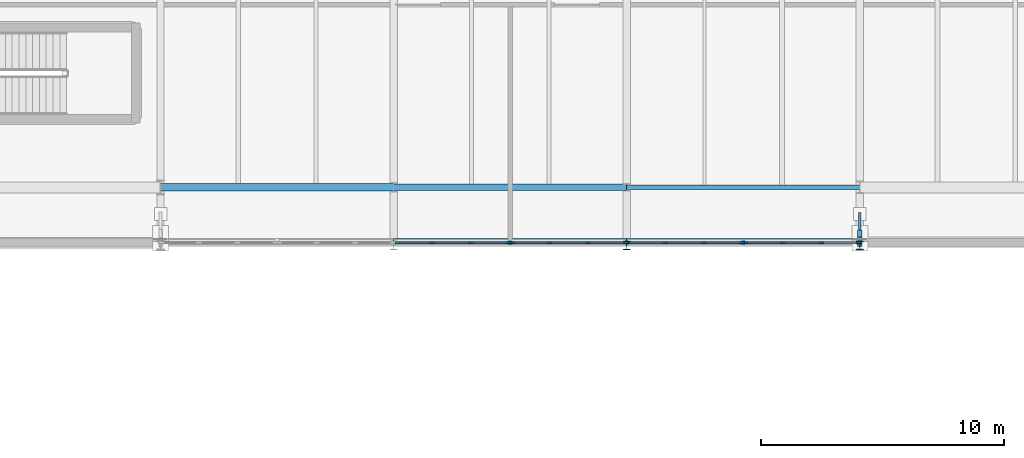
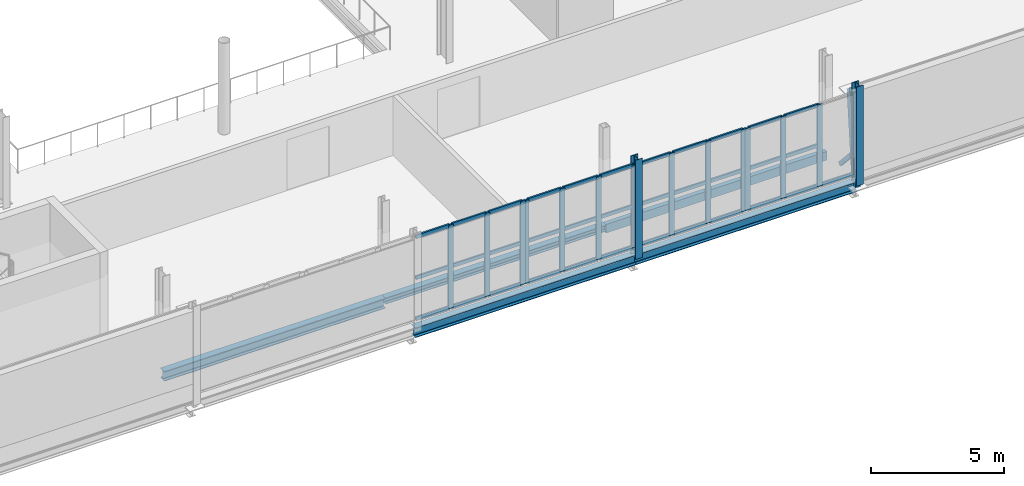
# One storey, part 27 of 90: 53 members, 5 beams, 4 elements without a shape of their own.
"""IFC4 building model written with IfcOpenShell, lengths in metres."""

from ifc_helpers import new_model, si_unit, direction, frame, origin, origin_2d, place, context, subcontext, project, spatial, rectangle, hollow_rectangle, i_section, extrude, material, layer, layer_set, material_profile, profile_set, type_object, element, aggregate, save


model = new_model("IFC4")

# Units and contexts
model_context = context("Model", 3, precision=1e-05, world=origin(), true_north=direction((0.0, 1.0)))
body_context = subcontext(model_context, "Body", "Model", "MODEL_VIEW")
ifc_project = project(units=[si_unit("LENGTHUNIT", "METRE"), si_unit("AREAUNIT", "SQUARE_METRE"), si_unit("VOLUMEUNIT", "CUBIC_METRE"), si_unit("PLANEANGLEUNIT", "RADIAN"), si_unit("MASSUNIT", "GRAM", prefix="KILO")], contexts=[model_context])

# Site, building, storey
site_placement = place(None, origin())
site = spatial("IfcSite", under=ifc_project, at=site_placement, CompositionType="ELEMENT")
building_placement = place(site_placement, origin())
building = spatial("IfcBuilding", under=site, at=building_placement, Name="Zereglee Splitstone Museum", CompositionType="ELEMENT")
storey_placement = place(building_placement, frame((0.0, 0.0, 4.800048828125)))
storey = spatial("IfcBuildingStorey", under=building, at=storey_placement, Name="L01", CompositionType="ELEMENT", Elevation=4.800048828125)

# Curtain wall, members
ifc_material_1 = material(Name="Triple-glazed low-E argon glass and bronze-anodised aluminium", Category="aluminium")
ifc_layer_1 = layer(ifc_material_1, 0.219970703125)
ifc_layer_set_1 = layer_set([ifc_layer_1], Name="Triple-glazed low-E argon glass and bronze-anodised aluminium")
curtain_wall_type_1 = type_object("IfcCurtainWallType", Name="CW-0476-384", PredefinedType="USERDEFINED", material=ifc_layer_set_1)
curtain_wall_1_placement = place(storey_placement, origin())
curtain_wall_1 = element("IfcCurtainWall", 1, at=curtain_wall_1_placement, inside=storey, type_object=curtain_wall_type_1, Name="Glazed Curtain Wall CW-0476-384 (L01)", ObjectType="GLAZED CURTAIN WALL", PredefinedType="USERDEFINED")
ifc_material_2 = material(Name="Thermally broken bronze-anodised aluminium", Category="aluminium")
ifc_material_profile_1 = material_profile(ifc_material_2, rectangle(XDim=0.074951171875, YDim=0.219970703125, at=origin_2d()), Name="CW MULL 75x220")
ifc_profile_set_1 = profile_set([ifc_material_profile_1], Name="Thermally broken bronze-anodised aluminium")
member_type_1 = type_object("IfcMemberType", Name="CWM-02", PredefinedType="MULLION", material=ifc_profile_set_1)
member_1_placement = place(storey_placement, frame((108.38671875, 7.320068359375, 0.0), z_axis=(0.0, 0.0, 1.0), x_axis=(0.0, 1.0, 0.0)))
member_1 = element("IfcMember", 2, at=member_1_placement, type_object=member_type_1, Name="CW-0476-384 mullion 2", PredefinedType="MULLION", context=body_context, shape_type="SweptSolid", body=[
    extrude(rectangle(XDim=0.074951171875, YDim=0.219970703125, at=origin_2d()), origin(), (0.0, 0.0, 1.0), 3.83984375),
])
member_2_placement = place(storey_placement, frame((109.973388671875, 7.320068359375, 0.0), z_axis=(0.0, 0.0, 1.0), x_axis=(0.0, 1.0, 0.0)))
member_2 = element("IfcMember", 3, at=member_2_placement, type_object=member_type_1, Name="CW-0476-384 mullion 3", PredefinedType="MULLION", context=body_context, shape_type="SweptSolid", body=[
    extrude(rectangle(XDim=0.074951171875, YDim=0.219970703125, at=origin_2d()), origin(), (0.0, 0.0, 1.0), 3.83984375),
])
member_3_placement = place(storey_placement, frame((111.5224609375, 7.320068359375, 0.0), z_axis=(0.0, 0.0, 1.0), x_axis=(0.0, 1.0, 0.0)))
member_3 = element("IfcMember", 4, at=member_3_placement, type_object=member_type_1, Name="CW-0476-384 mullion 4", PredefinedType="MULLION", context=body_context, shape_type="SweptSolid", body=[
    extrude(rectangle(XDim=0.074951171875, YDim=0.219970703125, at=origin_2d()), origin(), (0.0, 0.0, 1.0), 3.83984375),
])

ifc_layer_2 = layer(ifc_material_1, 0.219970703125)
ifc_layer_set_2 = layer_set([ifc_layer_2], Name="Triple-glazed low-E argon glass and bronze-anodised aluminium")
curtain_wall_type_2 = type_object("IfcCurtainWallType", Name="CW-0476-382", PredefinedType="USERDEFINED", material=ifc_layer_set_2)
curtain_wall_2_placement = place(storey_placement, origin())
curtain_wall_2 = element("IfcCurtainWall", 5, at=curtain_wall_2_placement, inside=storey, type_object=curtain_wall_type_2, Name="Glazed Curtain Wall CW-0476-382 (L01)", ObjectType="GLAZED CURTAIN WALL", PredefinedType="USERDEFINED")
member_4_placement = place(storey_placement, frame((111.677490234375, 7.320068359375, 0.0), z_axis=(0.0, 0.0, 1.0), x_axis=(0.0, 1.0, 0.0)))
member_4 = element("IfcMember", 6, at=member_4_placement, type_object=member_type_1, Name="CW-0476-382 mullion 1", PredefinedType="MULLION", context=body_context, shape_type="SweptSolid", body=[
    extrude(rectangle(XDim=0.074951171875, YDim=0.219970703125, at=origin_2d()), origin(), (0.0, 0.0, 1.0), 3.820068359375),
])
member_5_placement = place(storey_placement, frame((113.2265625, 7.320068359375, 0.0), z_axis=(0.0, 0.0, 1.0), x_axis=(0.0, 1.0, 0.0)))
member_5 = element("IfcMember", 7, at=member_5_placement, type_object=member_type_1, Name="CW-0476-382 mullion 2", PredefinedType="MULLION", context=body_context, shape_type="SweptSolid", body=[
    extrude(rectangle(XDim=0.074951171875, YDim=0.219970703125, at=origin_2d()), origin(), (0.0, 0.0, 1.0), 3.820068359375),
])
member_6_placement = place(storey_placement, frame((114.813232421875, 7.320068359375, 0.0), z_axis=(0.0, 0.0, 1.0), x_axis=(0.0, 1.0, 0.0)))
member_6 = element("IfcMember", 8, at=member_6_placement, type_object=member_type_1, Name="CW-0476-382 mullion 3", PredefinedType="MULLION", context=body_context, shape_type="SweptSolid", body=[
    extrude(rectangle(XDim=0.074951171875, YDim=0.219970703125, at=origin_2d()), origin(), (0.0, 0.0, 1.0), 3.820068359375),
])
member_7_placement = place(storey_placement, frame((116.362548828125, 7.320068359375, 0.0), z_axis=(0.0, 0.0, 1.0), x_axis=(0.0, 1.0, 0.0)))
member_7 = element("IfcMember", 9, at=member_7_placement, type_object=member_type_1, Name="CW-0476-382 mullion 4", PredefinedType="MULLION", context=body_context, shape_type="SweptSolid", body=[
    extrude(rectangle(XDim=0.074951171875, YDim=0.219970703125, at=origin_2d()), origin(), (0.0, 0.0, 1.0), 3.820068359375),
])

ifc_layer_3 = layer(ifc_material_1, 0.219970703125)
ifc_layer_set_3 = layer_set([ifc_layer_3], Name="Triple-glazed low-E argon glass and bronze-anodised aluminium")
curtain_wall_type_3 = type_object("IfcCurtainWallType", Name="CW-0476-378", PredefinedType="USERDEFINED", material=ifc_layer_set_3)
curtain_wall_3_placement = place(storey_placement, origin())
curtain_wall_3 = element("IfcCurtainWall", 10, at=curtain_wall_3_placement, inside=storey, type_object=curtain_wall_type_3, Name="Glazed Curtain Wall CW-0476-378 (L01)", ObjectType="GLAZED CURTAIN WALL", PredefinedType="USERDEFINED")
member_8_placement = place(storey_placement, frame((116.4375, 7.320068359375, 0.0), z_axis=(0.0, 0.0, 1.0), x_axis=(0.0, 1.0, 0.0)))
member_8 = element("IfcMember", 11, at=member_8_placement, type_object=member_type_1, Name="CW-0476-378 mullion 1", PredefinedType="MULLION", context=body_context, shape_type="SweptSolid", body=[
    extrude(rectangle(XDim=0.074951171875, YDim=0.219970703125, at=origin_2d()), origin(), (0.0, 0.0, 1.0), 3.780029296875),
])
member_9_placement = place(storey_placement, frame((117.986572265625, 7.320068359375, 0.0), z_axis=(0.0, 0.0, 1.0), x_axis=(0.0, 1.0, 0.0)))
member_9 = element("IfcMember", 12, at=member_9_placement, type_object=member_type_1, Name="CW-0476-378 mullion 2", PredefinedType="MULLION", context=body_context, shape_type="SweptSolid", body=[
    extrude(rectangle(XDim=0.074951171875, YDim=0.219970703125, at=origin_2d()), origin(), (0.0, 0.0, 1.0), 3.780029296875),
])
member_10_placement = place(storey_placement, frame((119.5732421875, 7.320068359375, 0.0), z_axis=(0.0, 0.0, 1.0), x_axis=(0.0, 1.0, 0.0)))
member_10 = element("IfcMember", 13, at=member_10_placement, type_object=member_type_1, Name="CW-0476-378 mullion 3", PredefinedType="MULLION", context=body_context, shape_type="SweptSolid", body=[
    extrude(rectangle(XDim=0.074951171875, YDim=0.219970703125, at=origin_2d()), origin(), (0.0, 0.0, 1.0), 3.780029296875),
])
member_11_placement = place(storey_placement, frame((121.12255859375, 7.320068359375, 0.0), z_axis=(0.0, 0.0, 1.0), x_axis=(0.0, 1.0, 0.0)))
member_11 = element("IfcMember", 14, at=member_11_placement, type_object=member_type_1, Name="CW-0476-378 mullion 4", PredefinedType="MULLION", context=body_context, shape_type="SweptSolid", body=[
    extrude(rectangle(XDim=0.074951171875, YDim=0.219970703125, at=origin_2d()), origin(), (0.0, 0.0, 1.0), 3.780029296875),
])

ifc_layer_4 = layer(ifc_material_1, 0.219970703125)
ifc_layer_set_4 = layer_set([ifc_layer_4], Name="Triple-glazed low-E argon glass and bronze-anodised aluminium")
curtain_wall_type_4 = type_object("IfcCurtainWallType", Name="CW-0476-376", PredefinedType="USERDEFINED", material=ifc_layer_set_4)
curtain_wall_4_placement = place(storey_placement, origin())
curtain_wall_4 = element("IfcCurtainWall", 15, at=curtain_wall_4_placement, inside=storey, type_object=curtain_wall_type_4, Name="Glazed Curtain Wall CW-0476-376 (L01)", ObjectType="GLAZED CURTAIN WALL", PredefinedType="USERDEFINED")
member_12_placement = place(storey_placement, frame((121.277587890625, 7.320068359375, 0.0), z_axis=(0.0, 0.0, 1.0), x_axis=(0.0, 1.0, 0.0)))
member_12 = element("IfcMember", 16, at=member_12_placement, type_object=member_type_1, Name="CW-0476-376 mullion 1", PredefinedType="MULLION", context=body_context, shape_type="SweptSolid", body=[
    extrude(rectangle(XDim=0.074951171875, YDim=0.219970703125, at=origin_2d()), origin(), (0.0, 0.0, 1.0), 3.760009765625),
])
member_13_placement = place(storey_placement, frame((122.82666015625, 7.320068359375, 0.0), z_axis=(0.0, 0.0, 1.0), x_axis=(0.0, 1.0, 0.0)))
member_13 = element("IfcMember", 17, at=member_13_placement, type_object=member_type_1, Name="CW-0476-376 mullion 2", PredefinedType="MULLION", context=body_context, shape_type="SweptSolid", body=[
    extrude(rectangle(XDim=0.074951171875, YDim=0.219970703125, at=origin_2d()), origin(), (0.0, 0.0, 1.0), 3.760009765625),
])
member_14_placement = place(storey_placement, frame((124.413330078125, 7.320068359375, 0.0), z_axis=(0.0, 0.0, 1.0), x_axis=(0.0, 1.0, 0.0)))
member_14 = element("IfcMember", 18, at=member_14_placement, type_object=member_type_1, Name="CW-0476-376 mullion 3", PredefinedType="MULLION", context=body_context, shape_type="SweptSolid", body=[
    extrude(rectangle(XDim=0.074951171875, YDim=0.219970703125, at=origin_2d()), origin(), (0.0, 0.0, 1.0), 3.760009765625),
])
member_15_placement = place(storey_placement, frame((125.96240234375, 7.320068359375, 0.0), z_axis=(0.0, 0.0, 1.0), x_axis=(0.0, 1.0, 0.0)))
member_15 = element("IfcMember", 19, at=member_15_placement, type_object=member_type_1, Name="CW-0476-376 mullion 4", PredefinedType="MULLION", context=body_context, shape_type="SweptSolid", body=[
    extrude(rectangle(XDim=0.074951171875, YDim=0.219970703125, at=origin_2d()), origin(), (0.0, 0.0, 1.0), 3.760009765625),
])

# Member
ifc_material_profile_2 = material_profile(ifc_material_2, rectangle(XDim=0.074951171875, YDim=0.1650390625, at=origin_2d()), Name="CW TRAN 75x165")
ifc_profile_set_2 = profile_set([ifc_material_profile_2], Name="Thermally broken bronze-anodised aluminium")
member_type_2 = type_object("IfcMemberType", Name="CWT-02", PredefinedType="USERDEFINED", material=ifc_profile_set_2)
member_16_placement = place(storey_placement, frame((106.875, 7.320068359375, 0.037353515625), z_axis=(1.0, 0.0, 0.0), x_axis=(0.0, 1.0, 0.0)))
member_16 = element("IfcMember", 20, at=member_16_placement, type_object=member_type_2, Name="CW-0476-384 transom 1.1", ObjectType="TRANSOM", PredefinedType="USERDEFINED", context=body_context, shape_type="SweptSolid", body=[
    extrude(rectangle(XDim=0.074951171875, YDim=0.1650390625, at=origin_2d()), origin(), (0.0, 0.0, 1.0), 1.47412109375),
])

member_17_placement = place(storey_placement, frame((106.875, 7.320068359375, 1.919921875), z_axis=(1.0, 0.0, 0.0), x_axis=(0.0, 1.0, 0.0)))
member_17 = element("IfcMember", 21, at=member_17_placement, type_object=member_type_2, Name="CW-0476-384 transom 1.2", ObjectType="TRANSOM", PredefinedType="USERDEFINED", context=body_context, shape_type="SweptSolid", body=[
    extrude(rectangle(XDim=0.074951171875, YDim=0.1650390625, at=origin_2d()), origin(), (0.0, 0.0, 1.0), 1.47412109375),
])

member_18_placement = place(storey_placement, frame((106.875, 7.320068359375, 3.802490234375), z_axis=(1.0, 0.0, 0.0), x_axis=(0.0, 1.0, 0.0)))
member_18 = element("IfcMember", 22, at=member_18_placement, type_object=member_type_2, Name="CW-0476-384 transom 1.3", ObjectType="TRANSOM", PredefinedType="USERDEFINED", context=body_context, shape_type="SweptSolid", body=[
    extrude(rectangle(XDim=0.074951171875, YDim=0.1650390625, at=origin_2d()), origin(), (0.0, 0.0, 1.0), 1.47412109375),
])

member_19_placement = place(storey_placement, frame((108.424072265625, 7.320068359375, 0.037353515625), z_axis=(1.0, 0.0, 0.0), x_axis=(0.0, 1.0, 0.0)))
member_19 = element("IfcMember", 23, at=member_19_placement, type_object=member_type_2, Name="CW-0476-384 transom 2.1", ObjectType="TRANSOM", PredefinedType="USERDEFINED", context=body_context, shape_type="SweptSolid", body=[
    extrude(rectangle(XDim=0.074951171875, YDim=0.1650390625, at=origin_2d()), origin(), (0.0, 0.0, 1.0), 1.51171875),
])

member_20_placement = place(storey_placement, frame((108.424072265625, 7.320068359375, 1.919921875), z_axis=(1.0, 0.0, 0.0), x_axis=(0.0, 1.0, 0.0)))
member_20 = element("IfcMember", 24, at=member_20_placement, type_object=member_type_2, Name="CW-0476-384 transom 2.2", ObjectType="TRANSOM", PredefinedType="USERDEFINED", context=body_context, shape_type="SweptSolid", body=[
    extrude(rectangle(XDim=0.074951171875, YDim=0.1650390625, at=origin_2d()), origin(), (0.0, 0.0, 1.0), 1.51171875),
])

member_21_placement = place(storey_placement, frame((108.424072265625, 7.320068359375, 3.802490234375), z_axis=(1.0, 0.0, 0.0), x_axis=(0.0, 1.0, 0.0)))
member_21 = element("IfcMember", 25, at=member_21_placement, type_object=member_type_2, Name="CW-0476-384 transom 2.3", ObjectType="TRANSOM", PredefinedType="USERDEFINED", context=body_context, shape_type="SweptSolid", body=[
    extrude(rectangle(XDim=0.074951171875, YDim=0.1650390625, at=origin_2d()), origin(), (0.0, 0.0, 1.0), 1.51171875),
])

member_22_placement = place(storey_placement, frame((110.0107421875, 7.320068359375, 0.037353515625), z_axis=(1.0, 0.0, 0.0), x_axis=(0.0, 1.0, 0.0)))
member_22 = element("IfcMember", 26, at=member_22_placement, type_object=member_type_2, Name="CW-0476-384 transom 3.1", ObjectType="TRANSOM", PredefinedType="USERDEFINED", context=body_context, shape_type="SweptSolid", body=[
    extrude(rectangle(XDim=0.074951171875, YDim=0.1650390625, at=origin_2d()), origin(), (0.0, 0.0, 1.0), 1.474365234375),
])

member_23_placement = place(storey_placement, frame((110.0107421875, 7.320068359375, 1.919921875), z_axis=(1.0, 0.0, 0.0), x_axis=(0.0, 1.0, 0.0)))
member_23 = element("IfcMember", 27, at=member_23_placement, type_object=member_type_2, Name="CW-0476-384 transom 3.2", ObjectType="TRANSOM", PredefinedType="USERDEFINED", context=body_context, shape_type="SweptSolid", body=[
    extrude(rectangle(XDim=0.074951171875, YDim=0.1650390625, at=origin_2d()), origin(), (0.0, 0.0, 1.0), 1.474365234375),
])

member_24_placement = place(storey_placement, frame((110.0107421875, 7.320068359375, 3.802490234375), z_axis=(1.0, 0.0, 0.0), x_axis=(0.0, 1.0, 0.0)))
member_24 = element("IfcMember", 28, at=member_24_placement, type_object=member_type_2, Name="CW-0476-384 transom 3.3", ObjectType="TRANSOM", PredefinedType="USERDEFINED", context=body_context, shape_type="SweptSolid", body=[
    extrude(rectangle(XDim=0.074951171875, YDim=0.1650390625, at=origin_2d()), origin(), (0.0, 0.0, 1.0), 1.474365234375),
])

aggregate(curtain_wall_1, [member_1, member_2, member_3, member_16, member_17, member_18, member_19, member_20, member_21, member_22, member_23, member_24])

member_25_placement = place(storey_placement, frame((111.715087890625, 7.320068359375, 0.037353515625), z_axis=(1.0, 0.0, 0.0), x_axis=(0.0, 1.0, 0.0)))
member_25 = element("IfcMember", 29, at=member_25_placement, type_object=member_type_2, Name="CW-0476-382 transom 1.1", ObjectType="TRANSOM", PredefinedType="USERDEFINED", context=body_context, shape_type="SweptSolid", body=[
    extrude(rectangle(XDim=0.074951171875, YDim=0.1650390625, at=origin_2d()), origin(), (0.0, 0.0, 1.0), 1.47412109375),
])

member_26_placement = place(storey_placement, frame((111.715087890625, 7.320068359375, 1.909912109375), z_axis=(1.0, 0.0, 0.0), x_axis=(0.0, 1.0, 0.0)))
member_26 = element("IfcMember", 30, at=member_26_placement, type_object=member_type_2, Name="CW-0476-382 transom 1.2", ObjectType="TRANSOM", PredefinedType="USERDEFINED", context=body_context, shape_type="SweptSolid", body=[
    extrude(rectangle(XDim=0.074951171875, YDim=0.1650390625, at=origin_2d()), origin(), (0.0, 0.0, 1.0), 1.47412109375),
])

member_27_placement = place(storey_placement, frame((111.715087890625, 7.320068359375, 3.782470703125), z_axis=(1.0, 0.0, 0.0), x_axis=(0.0, 1.0, 0.0)))
member_27 = element("IfcMember", 31, at=member_27_placement, type_object=member_type_2, Name="CW-0476-382 transom 1.3", ObjectType="TRANSOM", PredefinedType="USERDEFINED", context=body_context, shape_type="SweptSolid", body=[
    extrude(rectangle(XDim=0.074951171875, YDim=0.1650390625, at=origin_2d()), origin(), (0.0, 0.0, 1.0), 1.47412109375),
])

member_28_placement = place(storey_placement, frame((113.26416015625, 7.320068359375, 0.037353515625), z_axis=(1.0, 0.0, 0.0), x_axis=(0.0, 1.0, 0.0)))
member_28 = element("IfcMember", 32, at=member_28_placement, type_object=member_type_2, Name="CW-0476-382 transom 2.1", ObjectType="TRANSOM", PredefinedType="USERDEFINED", context=body_context, shape_type="SweptSolid", body=[
    extrude(rectangle(XDim=0.074951171875, YDim=0.1650390625, at=origin_2d()), origin(), (0.0, 0.0, 1.0), 1.51171875),
])

member_29_placement = place(storey_placement, frame((113.26416015625, 7.320068359375, 1.909912109375), z_axis=(1.0, 0.0, 0.0), x_axis=(0.0, 1.0, 0.0)))
member_29 = element("IfcMember", 33, at=member_29_placement, type_object=member_type_2, Name="CW-0476-382 transom 2.2", ObjectType="TRANSOM", PredefinedType="USERDEFINED", context=body_context, shape_type="SweptSolid", body=[
    extrude(rectangle(XDim=0.074951171875, YDim=0.1650390625, at=origin_2d()), origin(), (0.0, 0.0, 1.0), 1.51171875),
])

member_30_placement = place(storey_placement, frame((113.26416015625, 7.320068359375, 3.782470703125), z_axis=(1.0, 0.0, 0.0), x_axis=(0.0, 1.0, 0.0)))
member_30 = element("IfcMember", 34, at=member_30_placement, type_object=member_type_2, Name="CW-0476-382 transom 2.3", ObjectType="TRANSOM", PredefinedType="USERDEFINED", context=body_context, shape_type="SweptSolid", body=[
    extrude(rectangle(XDim=0.074951171875, YDim=0.1650390625, at=origin_2d()), origin(), (0.0, 0.0, 1.0), 1.51171875),
])

member_31_placement = place(storey_placement, frame((114.850830078125, 7.320068359375, 0.037353515625), z_axis=(1.0, 0.0, 0.0), x_axis=(0.0, 1.0, 0.0)))
member_31 = element("IfcMember", 35, at=member_31_placement, type_object=member_type_2, Name="CW-0476-382 transom 3.1", ObjectType="TRANSOM", PredefinedType="USERDEFINED", context=body_context, shape_type="SweptSolid", body=[
    extrude(rectangle(XDim=0.074951171875, YDim=0.1650390625, at=origin_2d()), origin(), (0.0, 0.0, 1.0), 1.47412109375),
])

member_32_placement = place(storey_placement, frame((114.850830078125, 7.320068359375, 1.909912109375), z_axis=(1.0, 0.0, 0.0), x_axis=(0.0, 1.0, 0.0)))
member_32 = element("IfcMember", 36, at=member_32_placement, type_object=member_type_2, Name="CW-0476-382 transom 3.2", ObjectType="TRANSOM", PredefinedType="USERDEFINED", context=body_context, shape_type="SweptSolid", body=[
    extrude(rectangle(XDim=0.074951171875, YDim=0.1650390625, at=origin_2d()), origin(), (0.0, 0.0, 1.0), 1.47412109375),
])

member_33_placement = place(storey_placement, frame((114.850830078125, 7.320068359375, 3.782470703125), z_axis=(1.0, 0.0, 0.0), x_axis=(0.0, 1.0, 0.0)))
member_33 = element("IfcMember", 37, at=member_33_placement, type_object=member_type_2, Name="CW-0476-382 transom 3.3", ObjectType="TRANSOM", PredefinedType="USERDEFINED", context=body_context, shape_type="SweptSolid", body=[
    extrude(rectangle(XDim=0.074951171875, YDim=0.1650390625, at=origin_2d()), origin(), (0.0, 0.0, 1.0), 1.47412109375),
])

aggregate(curtain_wall_2, [member_4, member_5, member_6, member_7, member_25, member_26, member_27, member_28, member_29, member_30, member_31, member_32, member_33])

member_34_placement = place(storey_placement, frame((116.47509765625, 7.320068359375, 0.037353515625), z_axis=(1.0, 0.0, 0.0), x_axis=(0.0, 1.0, 0.0)))
member_34 = element("IfcMember", 38, at=member_34_placement, type_object=member_type_2, Name="CW-0476-378 transom 1.1", ObjectType="TRANSOM", PredefinedType="USERDEFINED", context=body_context, shape_type="SweptSolid", body=[
    extrude(rectangle(XDim=0.074951171875, YDim=0.1650390625, at=origin_2d()), origin(), (0.0, 0.0, 1.0), 1.47412109375),
])

member_35_placement = place(storey_placement, frame((116.47509765625, 7.320068359375, 1.889892578125), z_axis=(1.0, 0.0, 0.0), x_axis=(0.0, 1.0, 0.0)))
member_35 = element("IfcMember", 39, at=member_35_placement, type_object=member_type_2, Name="CW-0476-378 transom 1.2", ObjectType="TRANSOM", PredefinedType="USERDEFINED", context=body_context, shape_type="SweptSolid", body=[
    extrude(rectangle(XDim=0.074951171875, YDim=0.1650390625, at=origin_2d()), origin(), (0.0, 0.0, 1.0), 1.47412109375),
])

member_36_placement = place(storey_placement, frame((116.47509765625, 7.320068359375, 3.742431640625), z_axis=(1.0, 0.0, 0.0), x_axis=(0.0, 1.0, 0.0)))
member_36 = element("IfcMember", 40, at=member_36_placement, type_object=member_type_2, Name="CW-0476-378 transom 1.3", ObjectType="TRANSOM", PredefinedType="USERDEFINED", context=body_context, shape_type="SweptSolid", body=[
    extrude(rectangle(XDim=0.074951171875, YDim=0.1650390625, at=origin_2d()), origin(), (0.0, 0.0, 1.0), 1.47412109375),
])

member_37_placement = place(storey_placement, frame((118.024169921875, 7.320068359375, 0.037353515625), z_axis=(1.0, 0.0, 0.0), x_axis=(0.0, 1.0, 0.0)))
member_37 = element("IfcMember", 41, at=member_37_placement, type_object=member_type_2, Name="CW-0476-378 transom 2.1", ObjectType="TRANSOM", PredefinedType="USERDEFINED", context=body_context, shape_type="SweptSolid", body=[
    extrude(rectangle(XDim=0.074951171875, YDim=0.1650390625, at=origin_2d()), origin(), (0.0, 0.0, 1.0), 1.51171875),
])

member_38_placement = place(storey_placement, frame((118.024169921875, 7.320068359375, 1.889892578125), z_axis=(1.0, 0.0, 0.0), x_axis=(0.0, 1.0, 0.0)))
member_38 = element("IfcMember", 42, at=member_38_placement, type_object=member_type_2, Name="CW-0476-378 transom 2.2", ObjectType="TRANSOM", PredefinedType="USERDEFINED", context=body_context, shape_type="SweptSolid", body=[
    extrude(rectangle(XDim=0.074951171875, YDim=0.1650390625, at=origin_2d()), origin(), (0.0, 0.0, 1.0), 1.51171875),
])

member_39_placement = place(storey_placement, frame((118.024169921875, 7.320068359375, 3.742431640625), z_axis=(1.0, 0.0, 0.0), x_axis=(0.0, 1.0, 0.0)))
member_39 = element("IfcMember", 43, at=member_39_placement, type_object=member_type_2, Name="CW-0476-378 transom 2.3", ObjectType="TRANSOM", PredefinedType="USERDEFINED", context=body_context, shape_type="SweptSolid", body=[
    extrude(rectangle(XDim=0.074951171875, YDim=0.1650390625, at=origin_2d()), origin(), (0.0, 0.0, 1.0), 1.51171875),
])

member_40_placement = place(storey_placement, frame((119.61083984375, 7.320068359375, 0.037353515625), z_axis=(1.0, 0.0, 0.0), x_axis=(0.0, 1.0, 0.0)))
member_40 = element("IfcMember", 44, at=member_40_placement, type_object=member_type_2, Name="CW-0476-378 transom 3.1", ObjectType="TRANSOM", PredefinedType="USERDEFINED", context=body_context, shape_type="SweptSolid", body=[
    extrude(rectangle(XDim=0.074951171875, YDim=0.1650390625, at=origin_2d()), origin(), (0.0, 0.0, 1.0), 1.47412109375),
])

member_41_placement = place(storey_placement, frame((119.61083984375, 7.320068359375, 1.889892578125), z_axis=(1.0, 0.0, 0.0), x_axis=(0.0, 1.0, 0.0)))
member_41 = element("IfcMember", 45, at=member_41_placement, type_object=member_type_2, Name="CW-0476-378 transom 3.2", ObjectType="TRANSOM", PredefinedType="USERDEFINED", context=body_context, shape_type="SweptSolid", body=[
    extrude(rectangle(XDim=0.074951171875, YDim=0.1650390625, at=origin_2d()), origin(), (0.0, 0.0, 1.0), 1.47412109375),
])

member_42_placement = place(storey_placement, frame((119.61083984375, 7.320068359375, 3.742431640625), z_axis=(1.0, 0.0, 0.0), x_axis=(0.0, 1.0, 0.0)))
member_42 = element("IfcMember", 46, at=member_42_placement, type_object=member_type_2, Name="CW-0476-378 transom 3.3", ObjectType="TRANSOM", PredefinedType="USERDEFINED", context=body_context, shape_type="SweptSolid", body=[
    extrude(rectangle(XDim=0.074951171875, YDim=0.1650390625, at=origin_2d()), origin(), (0.0, 0.0, 1.0), 1.47412109375),
])

aggregate(curtain_wall_3, [member_8, member_9, member_10, member_11, member_34, member_35, member_36, member_37, member_38, member_39, member_40, member_41, member_42])

member_43_placement = place(storey_placement, frame((121.31494140625, 7.320068359375, 0.037353515625), z_axis=(1.0, 0.0, 0.0), x_axis=(0.0, 1.0, 0.0)))
member_43 = element("IfcMember", 47, at=member_43_placement, type_object=member_type_2, Name="CW-0476-376 transom 1.1", ObjectType="TRANSOM", PredefinedType="USERDEFINED", context=body_context, shape_type="SweptSolid", body=[
    extrude(rectangle(XDim=0.074951171875, YDim=0.1650390625, at=origin_2d()), origin(), (0.0, 0.0, 1.0), 1.47412109375),
])

member_44_placement = place(storey_placement, frame((121.31494140625, 7.320068359375, 1.8798828125), z_axis=(1.0, 0.0, 0.0), x_axis=(0.0, 1.0, 0.0)))
member_44 = element("IfcMember", 48, at=member_44_placement, type_object=member_type_2, Name="CW-0476-376 transom 1.2", ObjectType="TRANSOM", PredefinedType="USERDEFINED", context=body_context, shape_type="SweptSolid", body=[
    extrude(rectangle(XDim=0.074951171875, YDim=0.1650390625, at=origin_2d()), origin(), (0.0, 0.0, 1.0), 1.47412109375),
])

member_45_placement = place(storey_placement, frame((121.31494140625, 7.320068359375, 3.722412109375), z_axis=(1.0, 0.0, 0.0), x_axis=(0.0, 1.0, 0.0)))
member_45 = element("IfcMember", 49, at=member_45_placement, type_object=member_type_2, Name="CW-0476-376 transom 1.3", ObjectType="TRANSOM", PredefinedType="USERDEFINED", context=body_context, shape_type="SweptSolid", body=[
    extrude(rectangle(XDim=0.074951171875, YDim=0.1650390625, at=origin_2d()), origin(), (0.0, 0.0, 1.0), 1.47412109375),
])

member_46_placement = place(storey_placement, frame((122.8642578125, 7.320068359375, 0.037353515625), z_axis=(1.0, 0.0, 0.0), x_axis=(0.0, 1.0, 0.0)))
member_46 = element("IfcMember", 50, at=member_46_placement, type_object=member_type_2, Name="CW-0476-376 transom 2.1", ObjectType="TRANSOM", PredefinedType="USERDEFINED", context=body_context, shape_type="SweptSolid", body=[
    extrude(rectangle(XDim=0.074951171875, YDim=0.1650390625, at=origin_2d()), origin(), (0.0, 0.0, 1.0), 1.511474609375),
])

member_47_placement = place(storey_placement, frame((122.8642578125, 7.320068359375, 1.8798828125), z_axis=(1.0, 0.0, 0.0), x_axis=(0.0, 1.0, 0.0)))
member_47 = element("IfcMember", 51, at=member_47_placement, type_object=member_type_2, Name="CW-0476-376 transom 2.2", ObjectType="TRANSOM", PredefinedType="USERDEFINED", context=body_context, shape_type="SweptSolid", body=[
    extrude(rectangle(XDim=0.074951171875, YDim=0.1650390625, at=origin_2d()), origin(), (0.0, 0.0, 1.0), 1.511474609375),
])

member_48_placement = place(storey_placement, frame((122.8642578125, 7.320068359375, 3.722412109375), z_axis=(1.0, 0.0, 0.0), x_axis=(0.0, 1.0, 0.0)))
member_48 = element("IfcMember", 52, at=member_48_placement, type_object=member_type_2, Name="CW-0476-376 transom 2.3", ObjectType="TRANSOM", PredefinedType="USERDEFINED", context=body_context, shape_type="SweptSolid", body=[
    extrude(rectangle(XDim=0.074951171875, YDim=0.1650390625, at=origin_2d()), origin(), (0.0, 0.0, 1.0), 1.511474609375),
])

member_49_placement = place(storey_placement, frame((124.450927734375, 7.320068359375, 0.037353515625), z_axis=(1.0, 0.0, 0.0), x_axis=(0.0, 1.0, 0.0)))
member_49 = element("IfcMember", 53, at=member_49_placement, type_object=member_type_2, Name="CW-0476-376 transom 3.1", ObjectType="TRANSOM", PredefinedType="USERDEFINED", context=body_context, shape_type="SweptSolid", body=[
    extrude(rectangle(XDim=0.074951171875, YDim=0.1650390625, at=origin_2d()), origin(), (0.0, 0.0, 1.0), 1.47412109375),
])

aggregate(curtain_wall_4, [member_12, member_13, member_14, member_15, member_43, member_44, member_45, member_46, member_47, member_48, member_49])

# Members
ifc_material_3 = material(Name="Steel S355J2", Category="steel")
ifc_material_profile_3 = material_profile(ifc_material_3, i_section(OverallWidth=0.300048828125, OverallDepth=0.360107421875, WebThickness=0.012451171875, FlangeThickness=0.0224609375, FilletRadius=0.027099609375, at=origin_2d()), Name="HE 360 B")
ifc_profile_set_3 = profile_set([ifc_material_profile_3], Name="Steel S355J2")
member_type_3 = type_object("IfcMemberType", Name="TC-06", PredefinedType="CHORD", material=ifc_profile_set_3)
for number, where, z_axis, x_axis, name in (
    (54, (116.39990234375, 7.199951171875, -0.35009765625), (0.0, 0.0, 1.0), (1.0, 0.0, 0.0), "Mughal Guldasta Hovering Portal Pier G07 L01"),
    (55, (126.0, 7.199951171875, -0.35009765625), (0.0, 0.0, 1.0), (1.0, 0.0, 0.0), "Mughal Guldasta Hovering Portal Pier G08 L01"),
):
    element("IfcMember", number, at=place(storey_placement, frame(where, z_axis=z_axis, x_axis=x_axis)), inside=storey, type_object=member_type_3, Name=name, PredefinedType="CHORD", context=body_context, shape_type="SweptSolid", body=[
        extrude(i_section(OverallWidth=0.300048828125, OverallDepth=0.360107421875, WebThickness=0.012451171875, FlangeThickness=0.0224609375, FilletRadius=0.027099609375, at=origin_2d()), origin(), (0.0, 0.0, 1.0), 4.550048828125),
    ])

# Beams
ifc_material_profile_4 = material_profile(ifc_material_3, i_section(OverallWidth=0.280029296875, OverallDepth=0.280029296875, WebThickness=0.010498046875, FlangeThickness=0.01806640625, FilletRadius=0.02392578125, at=origin_2d()), Name="HE 280 B")
ifc_profile_set_4 = profile_set([ifc_material_profile_4], Name="Steel S355J2")
beam_type_1 = type_object("IfcBeamType", Name="SP-03", PredefinedType="SPANDREL", material=ifc_profile_set_4)
beam_1_placement = place(storey_placement, frame((106.800048828125, 9.60009765625, -0.43994140625), z_axis=(1.0, 0.0, 0.0), x_axis=(0.0, 1.0, 0.0)))
element("IfcBeam", 56, at=beam_1_placement, inside=storey, type_object=beam_type_1, Name="Primary Girder L01 B (106.8-116.4)", PredefinedType="SPANDREL", context=body_context, shape_type="SweptSolid", body=[
    extrude(i_section(OverallWidth=0.280029296875, OverallDepth=0.280029296875, WebThickness=0.010498046875, FlangeThickness=0.01806640625, FilletRadius=0.02392578125, at=origin_2d()), origin(), (0.0, 0.0, 1.0), 9.599853515625),
])
ifc_material_profile_5 = material_profile(ifc_material_3, i_section(OverallWidth=0.300048828125, OverallDepth=0.449951171875, WebThickness=0.013916015625, FlangeThickness=0.02587890625, FilletRadius=0.027099609375, at=origin_2d()), Name="HE 450 B")
ifc_profile_set_5 = profile_set([ifc_material_profile_5], Name="Steel S355J2")
beam_type_2 = type_object("IfcBeamType", Name="SP-02", PredefinedType="SPANDREL", material=ifc_profile_set_5)
beam_2_placement = place(storey_placement, frame((97.199951171875, 9.60009765625, -0.525146484375), z_axis=(1.0, 0.0, 0.0), x_axis=(0.0, 1.0, 0.0)))
element("IfcBeam", 57, at=beam_2_placement, inside=storey, type_object=beam_type_2, Name="Primary Girder L01 B (97.2-106.8)", PredefinedType="SPANDREL", context=body_context, shape_type="SweptSolid", body=[
    extrude(i_section(OverallWidth=0.300048828125, OverallDepth=0.449951171875, WebThickness=0.013916015625, FlangeThickness=0.02587890625, FilletRadius=0.027099609375, at=origin_2d()), origin(), (0.0, 0.0, 1.0), 9.60009765625),
])
beam_3_placement = place(storey_placement, frame((106.800048828125, 7.35009765625, -0.525146484375), z_axis=(1.0, 0.0, 0.0), x_axis=(0.0, 1.0, 0.0)))
element("IfcBeam", 58, at=beam_3_placement, inside=storey, type_object=beam_type_2, Name="Hovering Soffit Spandrel L01 (106.8-116.4)", PredefinedType="SPANDREL", context=body_context, shape_type="SweptSolid", body=[
    extrude(i_section(OverallWidth=0.300048828125, OverallDepth=0.449951171875, WebThickness=0.013916015625, FlangeThickness=0.02587890625, FilletRadius=0.027099609375, at=origin_2d()), origin(), (0.0, 0.0, 1.0), 9.599853515625),
])
beam_4_placement = place(storey_placement, frame((116.39990234375, 7.35009765625, -0.525146484375), z_axis=(1.0, 0.0, 0.0), x_axis=(0.0, 1.0, 0.0)))
element("IfcBeam", 59, at=beam_4_placement, inside=storey, type_object=beam_type_2, Name="Hovering Soffit Spandrel L01 (116.4-126.0)", PredefinedType="SPANDREL", context=body_context, shape_type="SweptSolid", body=[
    extrude(i_section(OverallWidth=0.300048828125, OverallDepth=0.449951171875, WebThickness=0.013916015625, FlangeThickness=0.02587890625, FilletRadius=0.027099609375, at=origin_2d()), origin(), (0.0, 0.0, 1.0), 9.60009765625),
])
ifc_material_4 = material(Name="Steel S355J2H", Category="steel")
ifc_material_profile_6 = material_profile(ifc_material_4, hollow_rectangle(XDim=0.199951171875, YDim=0.39990234375, WallThickness=0.01611328125, at=origin_2d()), Name="RHS 400x200x16")
ifc_profile_set_6 = profile_set([ifc_material_profile_6], Name="Steel S355J2H")
beam_type_3 = type_object("IfcBeamType", Name="SP-04", PredefinedType="SPANDREL", material=ifc_profile_set_6)
beam_5_placement = place(storey_placement, frame((116.39990234375, 9.60009765625, -0.5), z_axis=(1.0, 0.0, 0.0), x_axis=(0.0, 1.0, 0.0)))
element("IfcBeam", 60, at=beam_5_placement, inside=storey, type_object=beam_type_3, Name="Primary Girder L01 B (116.4-126.0)", PredefinedType="SPANDREL", context=body_context, shape_type="SweptSolid", body=[
    extrude(hollow_rectangle(XDim=0.199951171875, YDim=0.39990234375, WallThickness=0.01611328125, at=origin_2d()), origin(), (0.0, 0.0, 1.0), 9.60009765625),
])

# Members
ifc_material_profile_7 = material_profile(ifc_material_4, hollow_rectangle(XDim=0.199951171875, YDim=0.300048828125, WallThickness=0.012451171875, at=origin_2d()), Name="RHS 300x200x12.5")
ifc_profile_set_7 = profile_set([ifc_material_profile_7], Name="Steel S355J2H")
member_type_4 = type_object("IfcMemberType", Name="FS-R1", PredefinedType="STRUT", material=ifc_profile_set_7)
member_50_placement = place(storey_placement, frame((126.0, 7.3134765625, -0.550048828125), z_axis=(0.0, 0.090913341279, 0.995858807451), x_axis=(-1.0, 0.0, 0.0)))
element("IfcMember", 61, at=member_50_placement, inside=storey, type_object=member_type_4, Name="Split-Rock Continuous Facet Strut FH-V2SE L01-01", PredefinedType="STRUT", context=body_context, shape_type="SweptSolid", body=[
    extrude(hollow_rectangle(XDim=0.199951171875, YDim=0.300048828125, WallThickness=0.012451171875, at=origin_2d()), origin(), (0.0, 0.0, 1.0), 4.197265625),
])
ifc_material_profile_8 = material_profile(ifc_material_4, hollow_rectangle(XDim=0.10009765625, YDim=0.179931640625, WallThickness=0.008056640625, at=origin_2d()), Name="RHS 180x100x8")
ifc_profile_set_8 = profile_set([ifc_material_profile_8], Name="Steel S355J2H")
member_type_5 = type_object("IfcMemberType", Name="FS-T2", PredefinedType="STRUT", material=ifc_profile_set_8)
member_51_placement = place(storey_placement, frame((126.0, 8.5, -0.260009765625), z_axis=(0.0, -0.67257975444, 0.740024644128), x_axis=(1.0, 0.0, 0.0)))
element("IfcMember", 62, at=member_51_placement, inside=storey, type_object=member_type_5, Name="Facet Tie-Back Strut FH-V2SE L01-01", PredefinedType="STRUT", context=body_context, shape_type="SweptSolid", body=[
    extrude(hollow_rectangle(XDim=0.10009765625, YDim=0.179931640625, WallThickness=0.008056640625, at=origin_2d()), origin(), (0.0, 0.0, 1.0), 1.5673828125),
])

save(model, "model.ifc")
